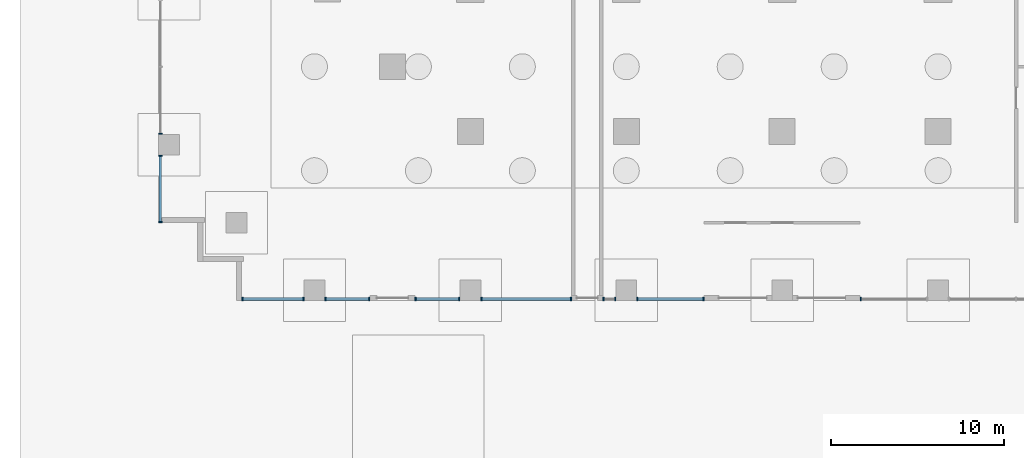
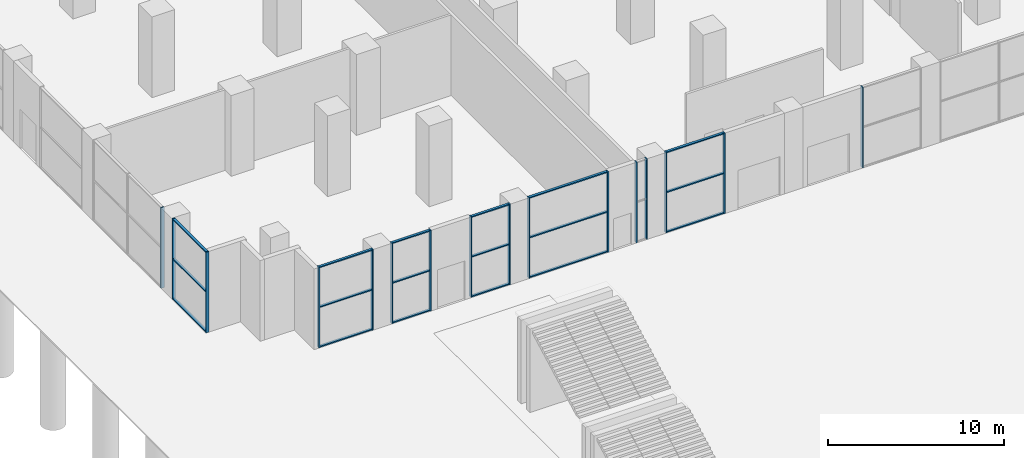
# One storey, part 2 of 20: 34 members, 9 elements without a shape of their own.
"""IFC4 building model written with IfcOpenShell, lengths in metres."""

from ifc_helpers import new_model, si_unit, direction, frame, origin, origin_2d, place, context, subcontext, project, spatial, rectangle, extrude, material, material_profile, profile_set, type_object, element, aggregate, save


model = new_model("IFC4")

# Units and contexts
model_context = context("Model", 3, precision=1e-05, world=origin(), true_north=direction((0.0, 1.0)))
body_context = subcontext(model_context, "Body", "Model", "MODEL_VIEW")
ifc_project = project(units=[si_unit("LENGTHUNIT", "METRE"), si_unit("AREAUNIT", "SQUARE_METRE"), si_unit("VOLUMEUNIT", "CUBIC_METRE"), si_unit("PLANEANGLEUNIT", "RADIAN"), si_unit("MASSUNIT", "GRAM", prefix="KILO")], contexts=[model_context])

# Site, building, storey
site_placement = place(None, origin())
site = spatial("IfcSite", under=ifc_project, at=site_placement, CompositionType="ELEMENT")
building_placement = place(site_placement, origin())
building = spatial("IfcBuilding", under=site, at=building_placement, Name="Orbiselva Terraces", CompositionType="ELEMENT")
storey_placement = place(building_placement, origin())
storey = spatial("IfcBuildingStorey", under=building, at=storey_placement, Name="L00", CompositionType="ELEMENT", Elevation=0.0)

# Curtain wall, members
ifc_material_1 = material(Name="Clear low-e glazing in aluminium frame", Category="aluminium")
curtain_wall_type = type_object("IfcCurtainWallType", Name="ENV-CW-LOBBY", PredefinedType="NOTDEFINED", material=ifc_material_1)
curtain_wall_1_placement = place(storey_placement, origin())
curtain_wall_1 = element("IfcCurtainWall", 1, at=curtain_wall_1_placement, inside=storey, type_object=curtain_wall_type, Name="Curtain wall L00 S", PredefinedType="NOTDEFINED")
ifc_material_2 = material(Name="Anodised aluminium", Category="aluminium")
ifc_material_profile_1 = material_profile(ifc_material_2, rectangle(XDim=0.2, YDim=0.075, at=origin_2d()), Name="AL 75x200")
ifc_profile_set_1 = profile_set([ifc_material_profile_1], Name="Anodised aluminium")
member_type_1 = type_object("IfcMemberType", Name="ENV-CW-LOBBY-MULLION-75x200", PredefinedType="MULLION", material=ifc_profile_set_1)
member_1_placement = place(storey_placement, frame((-31.1625, -31.4, 0.0), z_axis=(0.0, 0.0, 1.0), x_axis=(0.0, 1.0, 0.0)))
member_1 = element("IfcMember", 2, at=member_1_placement, type_object=member_type_1, Name="CW1 mullion 1", PredefinedType="MULLION", context=body_context, shape_type="SweptSolid", body=[
    extrude(rectangle(XDim=0.2, YDim=0.075, at=origin_2d()), origin(), (0.0, 0.0, 1.0), 5.6),
])
member_2_placement = place(storey_placement, frame((-27.6375, -31.4, 0.0), z_axis=(0.0, 0.0, 1.0), x_axis=(0.0, 1.0, 0.0)))
member_2 = element("IfcMember", 3, at=member_2_placement, type_object=member_type_1, Name="CW1 mullion 2", PredefinedType="MULLION", context=body_context, shape_type="SweptSolid", body=[
    extrude(rectangle(XDim=0.2, YDim=0.075, at=origin_2d()), origin(), (0.0, 0.0, 1.0), 5.6),
])

curtain_wall_2_placement = place(storey_placement, origin())
curtain_wall_2 = element("IfcCurtainWall", 4, at=curtain_wall_2_placement, inside=storey, type_object=curtain_wall_type, Name="Curtain wall L00 S", PredefinedType="NOTDEFINED")
member_3_placement = place(storey_placement, frame((-26.3625, -31.4, 0.0), z_axis=(0.0, 0.0, 1.0), x_axis=(0.0, 1.0, 0.0)))
member_3 = element("IfcMember", 5, at=member_3_placement, type_object=member_type_1, Name="CW1 mullion 1", PredefinedType="MULLION", context=body_context, shape_type="SweptSolid", body=[
    extrude(rectangle(XDim=0.2, YDim=0.075, at=origin_2d()), origin(), (0.0, 0.0, 1.0), 5.6),
])
member_4_placement = place(storey_placement, frame((-23.8375, -31.4, 0.0), z_axis=(0.0, 0.0, 1.0), x_axis=(0.0, 1.0, 0.0)))
member_4 = element("IfcMember", 6, at=member_4_placement, type_object=member_type_1, Name="CW1 mullion 2", PredefinedType="MULLION", context=body_context, shape_type="SweptSolid", body=[
    extrude(rectangle(XDim=0.2, YDim=0.075, at=origin_2d()), origin(), (0.0, 0.0, 1.0), 5.6),
])

curtain_wall_3_placement = place(storey_placement, origin())
curtain_wall_3 = element("IfcCurtainWall", 7, at=curtain_wall_3_placement, inside=storey, type_object=curtain_wall_type, Name="Curtain wall L00 S", PredefinedType="NOTDEFINED")
member_5_placement = place(storey_placement, frame((-21.1625, -31.4, 0.0), z_axis=(0.0, 0.0, 1.0), x_axis=(0.0, 1.0, 0.0)))
member_5 = element("IfcMember", 8, at=member_5_placement, type_object=member_type_1, Name="CW1 mullion 1", PredefinedType="MULLION", context=body_context, shape_type="SweptSolid", body=[
    extrude(rectangle(XDim=0.2, YDim=0.075, at=origin_2d()), origin(), (0.0, 0.0, 1.0), 5.6),
])
member_6_placement = place(storey_placement, frame((-18.6375, -31.4, 0.0), z_axis=(0.0, 0.0, 1.0), x_axis=(0.0, 1.0, 0.0)))
member_6 = element("IfcMember", 9, at=member_6_placement, type_object=member_type_1, Name="CW1 mullion 2", PredefinedType="MULLION", context=body_context, shape_type="SweptSolid", body=[
    extrude(rectangle(XDim=0.2, YDim=0.075, at=origin_2d()), origin(), (0.0, 0.0, 1.0), 5.6),
])

curtain_wall_4_placement = place(storey_placement, origin())
curtain_wall_4 = element("IfcCurtainWall", 10, at=curtain_wall_4_placement, inside=storey, type_object=curtain_wall_type, Name="Curtain wall L00 S", PredefinedType="NOTDEFINED")
member_7_placement = place(storey_placement, frame((-17.3625, -31.4, 0.0), z_axis=(0.0, 0.0, 1.0), x_axis=(0.0, 1.0, 0.0)))
member_7 = element("IfcMember", 11, at=member_7_placement, type_object=member_type_1, Name="CW1 mullion 1", PredefinedType="MULLION", context=body_context, shape_type="SweptSolid", body=[
    extrude(rectangle(XDim=0.2, YDim=0.075, at=origin_2d()), origin(), (0.0, 0.0, 1.0), 5.6),
])
member_8_placement = place(storey_placement, frame((-12.1875, -31.4, 0.0), z_axis=(0.0, 0.0, 1.0), x_axis=(0.0, 1.0, 0.0)))
member_8 = element("IfcMember", 12, at=member_8_placement, type_object=member_type_1, Name="CW1 mullion 2", PredefinedType="MULLION", context=body_context, shape_type="SweptSolid", body=[
    extrude(rectangle(XDim=0.2, YDim=0.075, at=origin_2d()), origin(), (0.0, 0.0, 1.0), 5.6),
])

curtain_wall_5_placement = place(storey_placement, origin())
curtain_wall_5 = element("IfcCurtainWall", 13, at=curtain_wall_5_placement, inside=storey, type_object=curtain_wall_type, Name="Curtain wall L00 S", PredefinedType="NOTDEFINED")
member_9_placement = place(storey_placement, frame((-10.3125, -31.4, 0.0), z_axis=(0.0, 0.0, 1.0), x_axis=(0.0, 1.0, 0.0)))
member_9 = element("IfcMember", 14, at=member_9_placement, type_object=member_type_1, Name="CW1 mullion 1", PredefinedType="MULLION", context=body_context, shape_type="SweptSolid", body=[
    extrude(rectangle(XDim=0.2, YDim=0.075, at=origin_2d()), origin(), (0.0, 0.0, 1.0), 5.6),
])
member_10_placement = place(storey_placement, frame((-9.6375, -31.4, 0.0), z_axis=(0.0, 0.0, 1.0), x_axis=(0.0, 1.0, 0.0)))
member_10 = element("IfcMember", 15, at=member_10_placement, type_object=member_type_1, Name="CW1 mullion 2", PredefinedType="MULLION", context=body_context, shape_type="SweptSolid", body=[
    extrude(rectangle(XDim=0.2, YDim=0.075, at=origin_2d()), origin(), (0.0, 0.0, 1.0), 5.6),
])
aggregate(curtain_wall_5, [member_9, member_10])

curtain_wall_6_placement = place(storey_placement, origin())
curtain_wall_6 = element("IfcCurtainWall", 16, at=curtain_wall_6_placement, inside=storey, type_object=curtain_wall_type, Name="Curtain wall L00 S", PredefinedType="NOTDEFINED")
member_11_placement = place(storey_placement, frame((-8.3625, -31.4, 0.0), z_axis=(0.0, 0.0, 1.0), x_axis=(0.0, 1.0, 0.0)))
member_11 = element("IfcMember", 17, at=member_11_placement, type_object=member_type_1, Name="CW1 mullion 1", PredefinedType="MULLION", context=body_context, shape_type="SweptSolid", body=[
    extrude(rectangle(XDim=0.2, YDim=0.075, at=origin_2d()), origin(), (0.0, 0.0, 1.0), 5.6),
])
member_12_placement = place(storey_placement, frame((-4.5375, -31.4, 0.0), z_axis=(0.0, 0.0, 1.0), x_axis=(0.0, 1.0, 0.0)))
member_12 = element("IfcMember", 18, at=member_12_placement, type_object=member_type_1, Name="CW1 mullion 2", PredefinedType="MULLION", context=body_context, shape_type="SweptSolid", body=[
    extrude(rectangle(XDim=0.2, YDim=0.075, at=origin_2d()), origin(), (0.0, 0.0, 1.0), 5.6),
])

# Curtain wall, member
curtain_wall_7_placement = place(storey_placement, origin())
curtain_wall_7 = element("IfcCurtainWall", 19, at=curtain_wall_7_placement, inside=storey, type_object=curtain_wall_type, Name="Curtain wall L00 S", PredefinedType="NOTDEFINED")
member_13_placement = place(storey_placement, frame((4.5375, -31.4, 0.0), z_axis=(0.0, 0.0, 1.0), x_axis=(0.0, 1.0, 0.0)))
member_13 = element("IfcMember", 20, at=member_13_placement, type_object=member_type_1, Name="CW1 mullion 1", PredefinedType="MULLION", context=body_context, shape_type="SweptSolid", body=[
    extrude(rectangle(XDim=0.2, YDim=0.075, at=origin_2d()), origin(), (0.0, 0.0, 1.0), 5.6),
])
aggregate(curtain_wall_7, [member_13])

curtain_wall_8_placement = place(storey_placement, origin())
curtain_wall_8 = element("IfcCurtainWall", 21, at=curtain_wall_8_placement, inside=storey, type_object=curtain_wall_type, Name="Curtain wall L00 W", PredefinedType="NOTDEFINED")
member_14_placement = place(storey_placement, frame((-35.9, -21.8625, 0.0), z_axis=(0.0, 0.0, 1.0), x_axis=(1.0, 0.0, 0.0)))
member_14 = element("IfcMember", 22, at=member_14_placement, type_object=member_type_1, Name="CW1 mullion 3", PredefinedType="MULLION", context=body_context, shape_type="SweptSolid", body=[
    extrude(rectangle(XDim=0.2, YDim=0.075, at=origin_2d()), origin(), (0.0, 0.0, 1.0), 5.6),
])
aggregate(curtain_wall_8, [member_14])

# Curtain wall, members
curtain_wall_9_placement = place(storey_placement, origin())
curtain_wall_9 = element("IfcCurtainWall", 23, at=curtain_wall_9_placement, inside=storey, type_object=curtain_wall_type, Name="Curtain wall L00 W", PredefinedType="NOTDEFINED")
member_15_placement = place(storey_placement, frame((-35.9, -23.1375, 0.0), z_axis=(0.0, 0.0, 1.0), x_axis=(1.0, 0.0, 0.0)))
member_15 = element("IfcMember", 24, at=member_15_placement, type_object=member_type_1, Name="CW1 mullion 1", PredefinedType="MULLION", context=body_context, shape_type="SweptSolid", body=[
    extrude(rectangle(XDim=0.2, YDim=0.075, at=origin_2d()), origin(), (0.0, 0.0, 1.0), 5.6),
])
member_16_placement = place(storey_placement, frame((-35.9, -26.9625, 0.0), z_axis=(0.0, 0.0, 1.0), x_axis=(1.0, 0.0, 0.0)))
member_16 = element("IfcMember", 25, at=member_16_placement, type_object=member_type_1, Name="CW1 mullion 2", PredefinedType="MULLION", context=body_context, shape_type="SweptSolid", body=[
    extrude(rectangle(XDim=0.2, YDim=0.075, at=origin_2d()), origin(), (0.0, 0.0, 1.0), 5.6),
])

# Member
ifc_material_profile_2 = material_profile(ifc_material_2, rectangle(XDim=0.16, YDim=0.075, at=origin_2d()), Name="AL 75x160")
ifc_profile_set_2 = profile_set([ifc_material_profile_2], Name="Anodised aluminium")
member_type_2 = type_object("IfcMemberType", Name="ENV-CW-LOBBY-TRANSOM-75x160", PredefinedType="USERDEFINED", material=ifc_profile_set_2)
member_17_placement = place(storey_placement, frame((-31.125, -31.4, 0.0375), z_axis=(1.0, 0.0, 0.0), x_axis=(0.0, 1.0, 0.0)))
member_17 = element("IfcMember", 26, at=member_17_placement, type_object=member_type_2, Name="CW1 transom 1.1", ObjectType="TRANSOM", PredefinedType="USERDEFINED", context=body_context, shape_type="SweptSolid", body=[
    extrude(rectangle(XDim=0.16, YDim=0.075, at=origin_2d()), origin(), (0.0, 0.0, 1.0), 3.45),
])

member_18_placement = place(storey_placement, frame((-31.125, -31.4, 2.8), z_axis=(1.0, 0.0, 0.0), x_axis=(0.0, 1.0, 0.0)))
member_18 = element("IfcMember", 27, at=member_18_placement, type_object=member_type_2, Name="CW1 transom 1.2", ObjectType="TRANSOM", PredefinedType="USERDEFINED", context=body_context, shape_type="SweptSolid", body=[
    extrude(rectangle(XDim=0.16, YDim=0.075, at=origin_2d()), origin(), (0.0, 0.0, 1.0), 3.45),
])

member_19_placement = place(storey_placement, frame((-31.125, -31.4, 5.5625), z_axis=(1.0, 0.0, 0.0), x_axis=(0.0, 1.0, 0.0)))
member_19 = element("IfcMember", 28, at=member_19_placement, type_object=member_type_2, Name="CW1 transom 1.3", ObjectType="TRANSOM", PredefinedType="USERDEFINED", context=body_context, shape_type="SweptSolid", body=[
    extrude(rectangle(XDim=0.16, YDim=0.075, at=origin_2d()), origin(), (0.0, 0.0, 1.0), 3.45),
])

aggregate(curtain_wall_1, [member_1, member_2, member_17, member_18, member_19])

member_20_placement = place(storey_placement, frame((-26.325, -31.4, 0.0375), z_axis=(1.0, 0.0, 0.0), x_axis=(0.0, 1.0, 0.0)))
member_20 = element("IfcMember", 29, at=member_20_placement, type_object=member_type_2, Name="CW1 transom 1.1", ObjectType="TRANSOM", PredefinedType="USERDEFINED", context=body_context, shape_type="SweptSolid", body=[
    extrude(rectangle(XDim=0.16, YDim=0.075, at=origin_2d()), origin(), (0.0, 0.0, 1.0), 2.45),
])

member_21_placement = place(storey_placement, frame((-26.325, -31.4, 2.8), z_axis=(1.0, 0.0, 0.0), x_axis=(0.0, 1.0, 0.0)))
member_21 = element("IfcMember", 30, at=member_21_placement, type_object=member_type_2, Name="CW1 transom 1.2", ObjectType="TRANSOM", PredefinedType="USERDEFINED", context=body_context, shape_type="SweptSolid", body=[
    extrude(rectangle(XDim=0.16, YDim=0.075, at=origin_2d()), origin(), (0.0, 0.0, 1.0), 2.45),
])

member_22_placement = place(storey_placement, frame((-26.325, -31.4, 5.5625), z_axis=(1.0, 0.0, 0.0), x_axis=(0.0, 1.0, 0.0)))
member_22 = element("IfcMember", 31, at=member_22_placement, type_object=member_type_2, Name="CW1 transom 1.3", ObjectType="TRANSOM", PredefinedType="USERDEFINED", context=body_context, shape_type="SweptSolid", body=[
    extrude(rectangle(XDim=0.16, YDim=0.075, at=origin_2d()), origin(), (0.0, 0.0, 1.0), 2.45),
])

aggregate(curtain_wall_2, [member_3, member_4, member_20, member_21, member_22])

member_23_placement = place(storey_placement, frame((-21.125, -31.4, 0.0375), z_axis=(1.0, 0.0, 0.0), x_axis=(0.0, 1.0, 0.0)))
member_23 = element("IfcMember", 32, at=member_23_placement, type_object=member_type_2, Name="CW1 transom 1.1", ObjectType="TRANSOM", PredefinedType="USERDEFINED", context=body_context, shape_type="SweptSolid", body=[
    extrude(rectangle(XDim=0.16, YDim=0.075, at=origin_2d()), origin(), (0.0, 0.0, 1.0), 2.45),
])

member_24_placement = place(storey_placement, frame((-21.125, -31.4, 2.8), z_axis=(1.0, 0.0, 0.0), x_axis=(0.0, 1.0, 0.0)))
member_24 = element("IfcMember", 33, at=member_24_placement, type_object=member_type_2, Name="CW1 transom 1.2", ObjectType="TRANSOM", PredefinedType="USERDEFINED", context=body_context, shape_type="SweptSolid", body=[
    extrude(rectangle(XDim=0.16, YDim=0.075, at=origin_2d()), origin(), (0.0, 0.0, 1.0), 2.45),
])

member_25_placement = place(storey_placement, frame((-21.125, -31.4, 5.5625), z_axis=(1.0, 0.0, 0.0), x_axis=(0.0, 1.0, 0.0)))
member_25 = element("IfcMember", 34, at=member_25_placement, type_object=member_type_2, Name="CW1 transom 1.3", ObjectType="TRANSOM", PredefinedType="USERDEFINED", context=body_context, shape_type="SweptSolid", body=[
    extrude(rectangle(XDim=0.16, YDim=0.075, at=origin_2d()), origin(), (0.0, 0.0, 1.0), 2.45),
])

aggregate(curtain_wall_3, [member_5, member_6, member_23, member_24, member_25])

member_26_placement = place(storey_placement, frame((-17.325, -31.4, 0.0375), z_axis=(1.0, 0.0, 0.0), x_axis=(0.0, 1.0, 0.0)))
member_26 = element("IfcMember", 35, at=member_26_placement, type_object=member_type_2, Name="CW1 transom 1.1", ObjectType="TRANSOM", PredefinedType="USERDEFINED", context=body_context, shape_type="SweptSolid", body=[
    extrude(rectangle(XDim=0.16, YDim=0.075, at=origin_2d()), origin(), (0.0, 0.0, 1.0), 5.1),
])

member_27_placement = place(storey_placement, frame((-17.325, -31.4, 2.8), z_axis=(1.0, 0.0, 0.0), x_axis=(0.0, 1.0, 0.0)))
member_27 = element("IfcMember", 36, at=member_27_placement, type_object=member_type_2, Name="CW1 transom 1.2", ObjectType="TRANSOM", PredefinedType="USERDEFINED", context=body_context, shape_type="SweptSolid", body=[
    extrude(rectangle(XDim=0.16, YDim=0.075, at=origin_2d()), origin(), (0.0, 0.0, 1.0), 5.1),
])

member_28_placement = place(storey_placement, frame((-17.325, -31.4, 5.5625), z_axis=(1.0, 0.0, 0.0), x_axis=(0.0, 1.0, 0.0)))
member_28 = element("IfcMember", 37, at=member_28_placement, type_object=member_type_2, Name="CW1 transom 1.3", ObjectType="TRANSOM", PredefinedType="USERDEFINED", context=body_context, shape_type="SweptSolid", body=[
    extrude(rectangle(XDim=0.16, YDim=0.075, at=origin_2d()), origin(), (0.0, 0.0, 1.0), 5.1),
])

aggregate(curtain_wall_4, [member_7, member_8, member_26, member_27, member_28])

member_29_placement = place(storey_placement, frame((-8.325, -31.4, 0.0375), z_axis=(1.0, 0.0, 0.0), x_axis=(0.0, 1.0, 0.0)))
member_29 = element("IfcMember", 38, at=member_29_placement, type_object=member_type_2, Name="CW1 transom 1.1", ObjectType="TRANSOM", PredefinedType="USERDEFINED", context=body_context, shape_type="SweptSolid", body=[
    extrude(rectangle(XDim=0.16, YDim=0.075, at=origin_2d()), origin(), (0.0, 0.0, 1.0), 3.75),
])

member_30_placement = place(storey_placement, frame((-8.325, -31.4, 2.8), z_axis=(1.0, 0.0, 0.0), x_axis=(0.0, 1.0, 0.0)))
member_30 = element("IfcMember", 39, at=member_30_placement, type_object=member_type_2, Name="CW1 transom 1.2", ObjectType="TRANSOM", PredefinedType="USERDEFINED", context=body_context, shape_type="SweptSolid", body=[
    extrude(rectangle(XDim=0.16, YDim=0.075, at=origin_2d()), origin(), (0.0, 0.0, 1.0), 3.75),
])

member_31_placement = place(storey_placement, frame((-8.325, -31.4, 5.5625), z_axis=(1.0, 0.0, 0.0), x_axis=(0.0, 1.0, 0.0)))
member_31 = element("IfcMember", 40, at=member_31_placement, type_object=member_type_2, Name="CW1 transom 1.3", ObjectType="TRANSOM", PredefinedType="USERDEFINED", context=body_context, shape_type="SweptSolid", body=[
    extrude(rectangle(XDim=0.16, YDim=0.075, at=origin_2d()), origin(), (0.0, 0.0, 1.0), 3.75),
])

aggregate(curtain_wall_6, [member_11, member_12, member_29, member_30, member_31])

member_32_placement = place(storey_placement, frame((-35.9, -23.175, 0.0375), z_axis=(0.0, -1.0, 0.0), x_axis=(1.0, 0.0, 0.0)))
member_32 = element("IfcMember", 41, at=member_32_placement, type_object=member_type_2, Name="CW1 transom 1.1", ObjectType="TRANSOM", PredefinedType="USERDEFINED", context=body_context, shape_type="SweptSolid", body=[
    extrude(rectangle(XDim=0.16, YDim=0.075, at=origin_2d()), origin(), (0.0, 0.0, 1.0), 3.75),
])

member_33_placement = place(storey_placement, frame((-35.9, -23.175, 2.8), z_axis=(0.0, -1.0, 0.0), x_axis=(1.0, 0.0, 0.0)))
member_33 = element("IfcMember", 42, at=member_33_placement, type_object=member_type_2, Name="CW1 transom 1.2", ObjectType="TRANSOM", PredefinedType="USERDEFINED", context=body_context, shape_type="SweptSolid", body=[
    extrude(rectangle(XDim=0.16, YDim=0.075, at=origin_2d()), origin(), (0.0, 0.0, 1.0), 3.75),
])

member_34_placement = place(storey_placement, frame((-35.9, -23.175, 5.5625), z_axis=(0.0, -1.0, 0.0), x_axis=(1.0, 0.0, 0.0)))
member_34 = element("IfcMember", 43, at=member_34_placement, type_object=member_type_2, Name="CW1 transom 1.3", ObjectType="TRANSOM", PredefinedType="USERDEFINED", context=body_context, shape_type="SweptSolid", body=[
    extrude(rectangle(XDim=0.16, YDim=0.075, at=origin_2d()), origin(), (0.0, 0.0, 1.0), 3.75),
])

aggregate(curtain_wall_9, [member_15, member_16, member_32, member_33, member_34])

save(model, "model.ifc")
